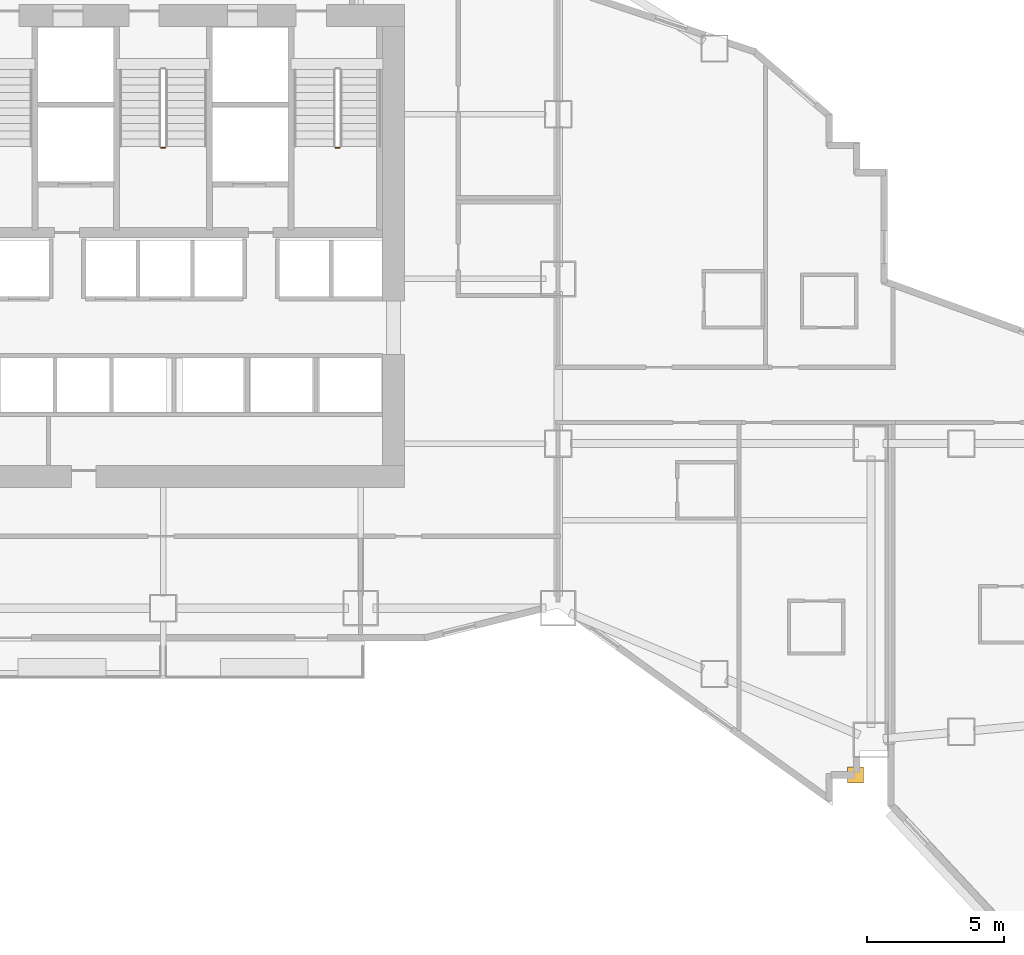
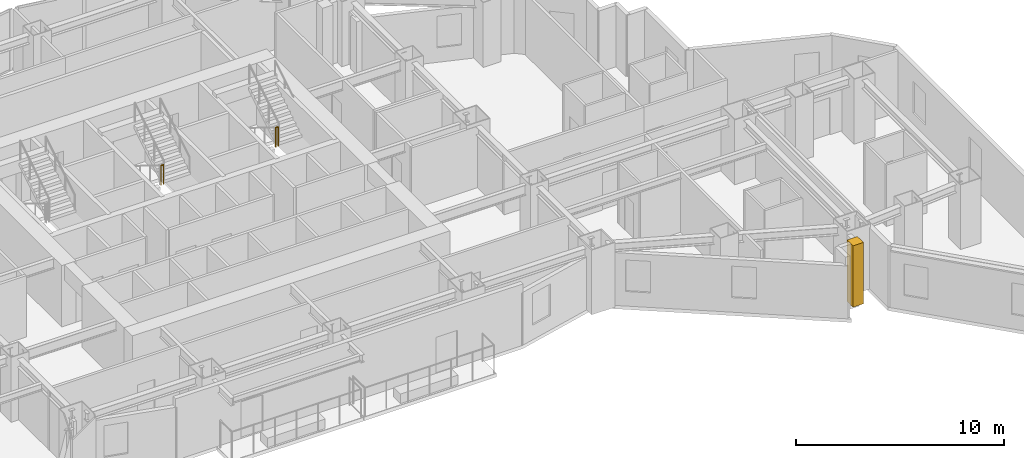
# One storey, part 15 of 17: 2 railings, 1 covering.
"""IFC4 building model written with IfcOpenShell, lengths in metres."""

from ifc_helpers import new_model, si_unit, direction, frame, origin, origin_2d, place, context, subcontext, project, spatial, rectangle, circle, extrude, material, layer, layer_set, type_object, element, save


model = new_model("IFC4")

# Units and contexts
model_context = context("Model", 3, precision=1e-05, world=origin(), true_north=direction((0.0, 1.0)))
body_context = subcontext(model_context, "Body", "Model", "MODEL_VIEW")
ifc_project = project(units=[si_unit("LENGTHUNIT", "METRE"), si_unit("AREAUNIT", "SQUARE_METRE"), si_unit("VOLUMEUNIT", "CUBIC_METRE"), si_unit("PLANEANGLEUNIT", "RADIAN"), si_unit("MASSUNIT", "GRAM", prefix="KILO")], contexts=[model_context])

# Site, building, storey
site_placement = place(None, origin())
site = spatial("IfcSite", under=ifc_project, at=site_placement, CompositionType="ELEMENT")
building_placement = place(site_placement, origin())
building = spatial("IfcBuilding", under=site, at=building_placement, Name="Haolan Belvedere Tower", CompositionType="ELEMENT")
storey_placement = place(building_placement, frame((0.0, 0.0, 27.800048828125)))
storey = spatial("IfcBuildingStorey", under=building, at=storey_placement, Name="L06", CompositionType="ELEMENT", Elevation=27.800048828125)

# Covering
ifc_material_1 = material(Name="Pale champagne-silver anodised aluminium rainscreen cladding", Category="aluminium")
ifc_layer = layer(ifc_material_1, 0.034912109375, Name="Pale champagne-silver anodised aluminium rainscreen cladding")
ifc_layer_set = layer_set([ifc_layer], Name="Pale champagne-silver anodised aluminium rainscreen cladding")
covering_type = type_object("IfcCoveringType", Name="COV-CLAD-35", PredefinedType="CLADDING", material=ifc_layer_set)
covering_placement = place(storey_placement, frame((63.637451171875, 15.52001953125, 0.0), z_axis=(0.0, 0.0, 1.0), x_axis=(1.0, 0.0, 0.0)))
element("IfcCovering", 1, at=covering_placement, inside=storey, type_object=covering_type, Name="L06 pale-metal serrated corner cladding trim 5", PredefinedType="CLADDING", context=body_context, shape_type="SweptSolid", body=[
    extrude(rectangle(XDim=0.580078125, YDim=0.580078125, at=origin_2d()), origin(), (0.0, 0.0, 1.0), 3.60009765625),
])

# Railings
ifc_material_2 = material(Name="Brushed stainless steel 304", Category="steel")
railing_type = type_object("IfcRailingType", Name="RL-STAIR-GRD-1150", PredefinedType="GUARDRAIL", material=ifc_material_2)
railing_1_placement = place(storey_placement, frame((38.330078125, 38.3798828125, 1.89990234375)))
element("IfcRailing", 2, at=railing_1_placement, inside=storey, type_object=railing_type, Name="L06 ST3 stair guard 2", PredefinedType="GUARDRAIL", context=body_context, shape_type="SweptSolid", body=[
    extrude(circle(Radius=0.02392578125, at=origin_2d()), frame((0.0, 0.0, 1.1259765625), z_axis=(1.0, 0.0, 0.0), x_axis=(0.0, 1.0, 0.0)), (0.0, 0.0, 1.0), 0.139892578125),
    extrude(circle(Radius=0.02099609375, at=origin_2d()), origin(), (0.0, 0.0, 1.0), 1.101806640625),
    extrude(circle(Radius=0.02099609375, at=origin_2d()), frame((0.139892578125, 0.0, 0.0)), (0.0, 0.0, 1.0), 1.101806640625),
])
railing_2_placement = place(storey_placement, frame((44.68994140625, 38.3798828125, 1.89990234375)))
element("IfcRailing", 3, at=railing_2_placement, inside=storey, type_object=railing_type, Name="L06 ST2 stair guard 2", PredefinedType="GUARDRAIL", context=body_context, shape_type="SweptSolid", body=[
    extrude(circle(Radius=0.02392578125, at=origin_2d()), frame((0.0, 0.0, 1.1259765625), z_axis=(1.0, 0.0, 0.0), x_axis=(0.0, 1.0, 0.0)), (0.0, 0.0, 1.0), 0.14013671875),
    extrude(circle(Radius=0.02099609375, at=origin_2d()), origin(), (0.0, 0.0, 1.0), 1.101806640625),
    extrude(circle(Radius=0.02099609375, at=origin_2d()), frame((0.14013671875, 0.0, 0.0)), (0.0, 0.0, 1.0), 1.101806640625),
])

save(model, "model.ifc")
